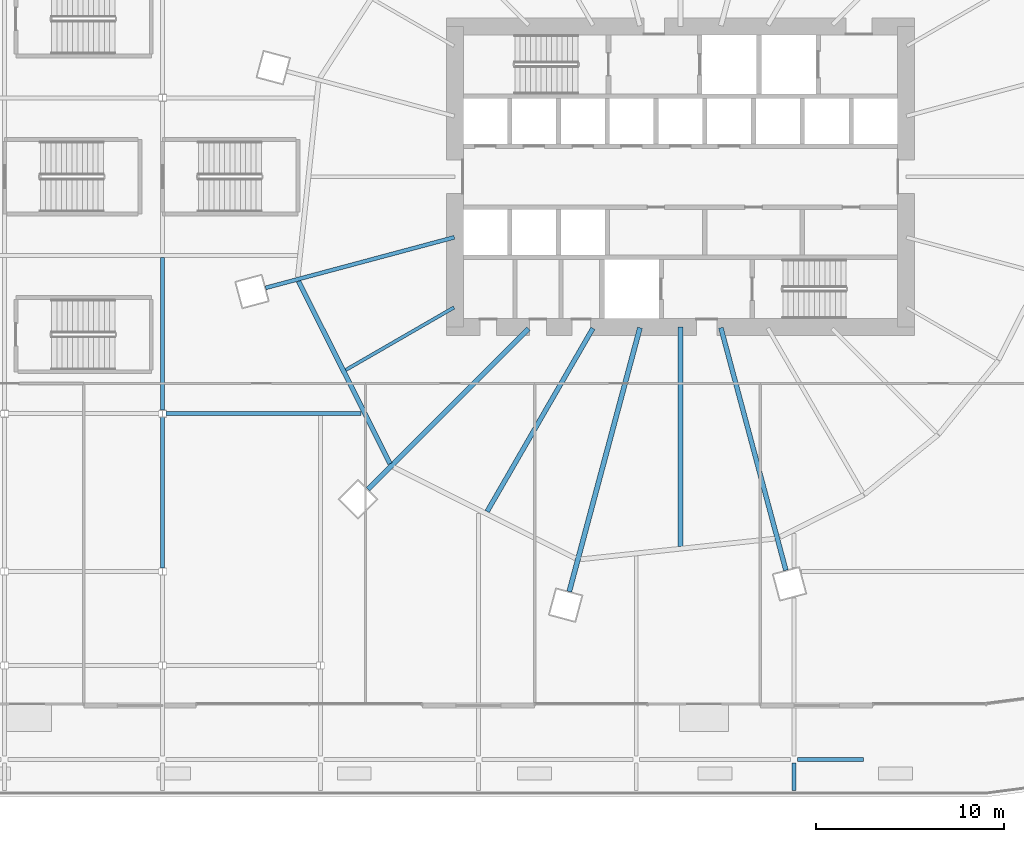
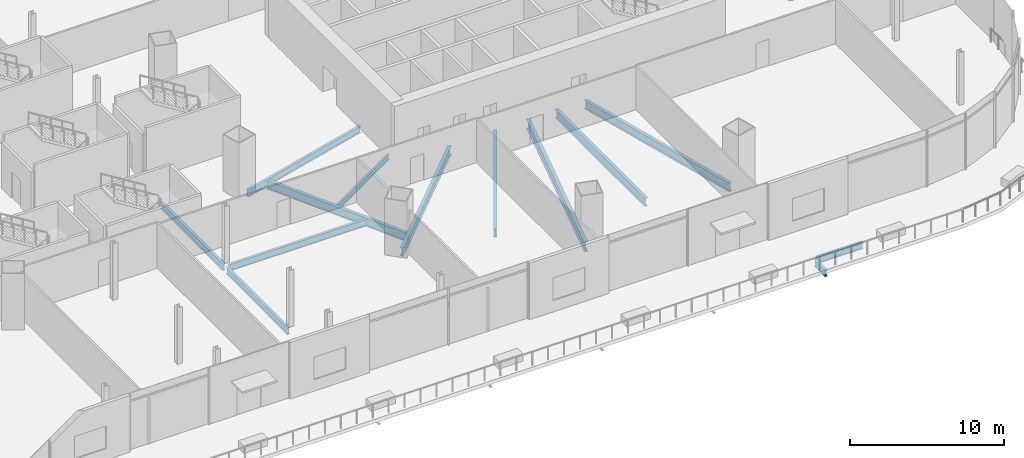
# One storey, part 23 of 52: 13 beams.
"""IFC4 building model written with IfcOpenShell, lengths in metres."""

from ifc_helpers import new_model, si_unit, direction, frame, origin, origin_2d, place, context, subcontext, project, spatial, i_section, extrude, material, material_profile, profile_set, type_object, element, save


model = new_model("IFC4")

# Units and contexts
model_context = context("Model", 3, precision=1e-05, world=origin(), true_north=direction((0.0, 1.0)))
body_context = subcontext(model_context, "Body", "Model", "MODEL_VIEW")
ifc_project = project(units=[si_unit("LENGTHUNIT", "METRE"), si_unit("AREAUNIT", "SQUARE_METRE"), si_unit("VOLUMEUNIT", "CUBIC_METRE"), si_unit("PLANEANGLEUNIT", "RADIAN"), si_unit("MASSUNIT", "GRAM", prefix="KILO")], contexts=[model_context])

# Site, building, storey
site_placement = place(None, origin())
site = spatial("IfcSite", under=ifc_project, at=site_placement, CompositionType="ELEMENT")
building_placement = place(site_placement, origin())
building = spatial("IfcBuilding", under=site, at=building_placement, Name="Rimbun Link Towers", CompositionType="ELEMENT")
storey_placement = place(building_placement, frame((0.0, 0.0, 21.0)))
storey = spatial("IfcBuildingStorey", under=building, at=storey_placement, Name="L04", CompositionType="ELEMENT", Elevation=21.0)

# Beams
ifc_material_1 = material(Name="Steel S355J2", Category="steel")
ifc_material_profile_1 = material_profile(ifc_material_1, i_section(OverallWidth=0.177978515625, OverallDepth=0.406494140625, WebThickness=0.0078125, FlangeThickness=0.0126953125, at=origin_2d()), Name="UB 406x178x60")
ifc_profile_set_1 = profile_set([ifc_material_profile_1], Name="Steel S355J2")
beam_type_1 = type_object("IfcBeamType", Name="UB 406x178x60", PredefinedType="BEAM", material=ifc_profile_set_1)
beam_1_placement = place(storey_placement, frame((19.70458984375, -6.954345703125, -0.503173828125), z_axis=(-0.866016262799, -0.500015832317, 0.0), x_axis=(0.500015832317, -0.866016262799, 0.0)))
element("IfcBeam", 1, at=beam_1_placement, inside=storey, type_object=beam_type_1, Name="Radial beam T2 L04 11", PredefinedType="BEAM", context=body_context, shape_type="SweptSolid", body=[
    extrude(i_section(OverallWidth=0.177978515625, OverallDepth=0.406494140625, WebThickness=0.0078125, FlangeThickness=0.0126953125, at=origin_2d()), origin(), (0.0, 0.0, 1.0), 6.651123046875),
])
ifc_material_2 = material(Name="Steel S355J2", Category="steel")
ifc_material_profile_2 = material_profile(ifc_material_2, i_section(OverallWidth=0.209228515625, OverallDepth=0.533203125, WebThickness=0.010009765625, FlangeThickness=0.015625, at=origin_2d()), Name="UB 533x210x92")
ifc_profile_set_2 = profile_set([ifc_material_profile_2], Name="Steel S355J2")
beam_type_2 = type_object("IfcBeamType", Name="UB 533x210x92", PredefinedType="BEAM", material=ifc_profile_set_2)
beam_2_placement = place(storey_placement, frame((19.721923828125, -3.222900390625, -0.56640625), z_axis=(-0.965924246626, -0.258824940413, 0.0), x_axis=(0.258824940413, -0.965924246626, 0.0)))
element("IfcBeam", 2, at=beam_2_placement, inside=storey, type_object=beam_type_2, Name="Radial beam T2 L04 10", PredefinedType="BEAM", context=body_context, shape_type="SweptSolid", body=[
    extrude(i_section(OverallWidth=0.209228515625, OverallDepth=0.533203125, WebThickness=0.010009765625, FlangeThickness=0.015625, at=origin_2d()), origin(), (0.0, 0.0, 1.0), 10.391845703125),
])
beam_3_placement = place(storey_placement, frame((37.985107421875, -31.0, -0.56640625), z_axis=(1.0, 0.0, 0.0), x_axis=(0.0, 1.0, 0.0)))
element("IfcBeam", 3, at=beam_3_placement, inside=storey, type_object=beam_type_2, Name="Grid beam L04 -31.0", PredefinedType="BEAM", context=body_context, shape_type="SweptSolid", body=[
    extrude(i_section(OverallWidth=0.209228515625, OverallDepth=0.533203125, WebThickness=0.010009765625, FlangeThickness=0.015625, at=origin_2d()), origin(), (0.0, 0.0, 1.0), 3.5),
])
beam_4_placement = place(storey_placement, frame((4.38525390625, -12.60009765625, -0.56640625), z_axis=(1.0, 0.0, 0.0), x_axis=(0.0, 1.0, 0.0)))
element("IfcBeam", 4, at=beam_4_placement, inside=storey, type_object=beam_type_2, Name="Grid beam L04 -12.6", PredefinedType="BEAM", context=body_context, shape_type="SweptSolid", body=[
    extrude(i_section(OverallWidth=0.209228515625, OverallDepth=0.533203125, WebThickness=0.010009765625, FlangeThickness=0.015625, at=origin_2d()), origin(), (0.0, 0.0, 1.0), 10.385009765625),
])
beam_5_placement = place(storey_placement, frame((4.199951171875, -20.819091796875, -0.56640625), z_axis=(0.0, 1.0, 0.0), x_axis=(-1.0, 0.0, 0.0)))
element("IfcBeam", 5, at=beam_5_placement, inside=storey, type_object=beam_type_2, Name="Grid beam L04 +4.2", PredefinedType="BEAM", context=body_context, shape_type="SweptSolid", body=[
    extrude(i_section(OverallWidth=0.209228515625, OverallDepth=0.533203125, WebThickness=0.010009765625, FlangeThickness=0.015625, at=origin_2d()), origin(), (0.0, 0.0, 1.0), 8.0380859375),
])
beam_6_placement = place(storey_placement, frame((4.199951171875, -12.4189453125, -0.56640625), z_axis=(0.0, 1.0, 0.0), x_axis=(-1.0, 0.0, 0.0)))
element("IfcBeam", 6, at=beam_6_placement, inside=storey, type_object=beam_type_2, Name="Grid beam L04 +4.2", PredefinedType="BEAM", context=body_context, shape_type="SweptSolid", body=[
    extrude(i_section(OverallWidth=0.209228515625, OverallDepth=0.533203125, WebThickness=0.010009765625, FlangeThickness=0.015625, at=origin_2d()), origin(), (0.0, 0.0, 1.0), 8.1142578125),
])
beam_7_placement = place(storey_placement, frame((37.800048828125, -32.649169921875, -0.56640625), z_axis=(0.0, 1.0, 0.0), x_axis=(-1.0, 0.0, 0.0)))
element("IfcBeam", 7, at=beam_7_placement, inside=storey, type_object=beam_type_2, Name="Grid beam L04 +37.8", PredefinedType="BEAM", context=body_context, shape_type="SweptSolid", body=[
    extrude(i_section(OverallWidth=0.209228515625, OverallDepth=0.533203125, WebThickness=0.010009765625, FlangeThickness=0.015625, at=origin_2d()), origin(), (0.0, 0.0, 1.0), 1.46826171875),
])
ifc_material_3 = material(Name="Steel S355J2", Category="steel")
ifc_material_profile_3 = material_profile(ifc_material_3, i_section(OverallWidth=0.253662109375, OverallDepth=0.68359375, WebThickness=0.012451171875, FlangeThickness=0.01904296875, at=origin_2d()), Name="UB 686x254x140")
ifc_profile_set_3 = profile_set([ifc_material_profile_3], Name="Steel S355J2")
beam_type_3 = type_object("IfcBeamType", Name="UB 686x254x140", PredefinedType="BEAM", material=ifc_profile_set_3)
beam_8_placement = place(storey_placement, frame((23.65966796875, -8.09033203125, -0.641845703125), z_axis=(-0.707106781187, -0.707106781187, 0.0), x_axis=(0.707106781187, -0.707106781187, 0.0)))
element("IfcBeam", 8, at=beam_8_placement, inside=storey, type_object=beam_type_3, Name="Radial beam T2 L04 12", PredefinedType="BEAM", context=body_context, shape_type="SweptSolid", body=[
    extrude(i_section(OverallWidth=0.253662109375, OverallDepth=0.68359375, WebThickness=0.012451171875, FlangeThickness=0.01904296875, at=origin_2d()), origin(), (0.0, 0.0, 1.0), 12.0712890625),
])
beam_9_placement = place(storey_placement, frame((27.093994140625, -8.064208984375, -0.641845703125), z_axis=(-0.499995511288, -0.866027995328, 0.0), x_axis=(0.866027995328, -0.499995511288, 0.0)))
element("IfcBeam", 9, at=beam_9_placement, inside=storey, type_object=beam_type_3, Name="Radial beam T2 L04 13", PredefinedType="BEAM", context=body_context, shape_type="SweptSolid", body=[
    extrude(i_section(OverallWidth=0.253662109375, OverallDepth=0.68359375, WebThickness=0.012451171875, FlangeThickness=0.01904296875, at=origin_2d()), origin(), (0.0, 0.0, 1.0), 11.248046875),
])
beam_10_placement = place(storey_placement, frame((31.75, -8.0009765625, -0.641845703125), z_axis=(0.0, -1.0, 0.0), x_axis=(1.0, 0.0, 0.0)))
element("IfcBeam", 10, at=beam_10_placement, inside=storey, type_object=beam_type_3, Name="Radial beam T2 L04 15", PredefinedType="BEAM", context=body_context, shape_type="SweptSolid", body=[
    extrude(i_section(OverallWidth=0.253662109375, OverallDepth=0.68359375, WebThickness=0.012451171875, FlangeThickness=0.01904296875, at=origin_2d()), origin(), (0.0, 0.0, 1.0), 11.65771484375),
])
beam_11_placement = place(storey_placement, frame((33.902587890625, -8.03369140625, -0.641845703125), z_axis=(0.258816190288, -0.96592659123, 0.0), x_axis=(0.96592659123, 0.258816190288, 0.0)))
element("IfcBeam", 11, at=beam_11_placement, inside=storey, type_object=beam_type_3, Name="Radial beam T2 L04 16", PredefinedType="BEAM", context=body_context, shape_type="SweptSolid", body=[
    extrude(i_section(OverallWidth=0.253662109375, OverallDepth=0.68359375, WebThickness=0.012451171875, FlangeThickness=0.01904296875, at=origin_2d()), origin(), (0.0, 0.0, 1.0), 13.355224609375),
])
beam_12_placement = place(storey_placement, frame((11.429931640625, -5.55419921875, -0.641845703125), z_axis=(0.448516294104, -0.893774655002, 0.0), x_axis=(0.893774655002, 0.448516294104, 0.0)))
element("IfcBeam", 12, at=beam_12_placement, inside=storey, type_object=beam_type_3, Name="Edge beam T2 L04 10-12", PredefinedType="BEAM", context=body_context, shape_type="SweptSolid", body=[
    extrude(i_section(OverallWidth=0.253662109375, OverallDepth=0.68359375, WebThickness=0.012451171875, FlangeThickness=0.01904296875, at=origin_2d()), origin(), (0.0, 0.0, 1.0), 10.865966796875),
])
ifc_material_4 = material(Name="Steel S355J2", Category="steel")
ifc_material_profile_4 = material_profile(ifc_material_4, i_section(OverallWidth=0.2666015625, OverallDepth=0.76220703125, WebThickness=0.014404296875, FlangeThickness=0.021484375, at=origin_2d()), Name="UB 762x267x173")
ifc_profile_set_4 = profile_set([ifc_material_profile_4], Name="Steel S355J2")
beam_type_4 = type_object("IfcBeamType", Name="UB 762x267x173", PredefinedType="BEAM", material=ifc_profile_set_4)
beam_13_placement = place(storey_placement, frame((29.596923828125, -8.035400390625, -0.68115234375), z_axis=(-0.25882261837, -0.965924868828, 0.0), x_axis=(0.965924868828, -0.25882261837, 0.0)))
element("IfcBeam", 13, at=beam_13_placement, inside=storey, type_object=beam_type_4, Name="Radial beam T2 L04 14", PredefinedType="BEAM", context=body_context, shape_type="SweptSolid", body=[
    extrude(i_section(OverallWidth=0.2666015625, OverallDepth=0.76220703125, WebThickness=0.014404296875, FlangeThickness=0.021484375, at=origin_2d()), origin(), (0.0, 0.0, 1.0), 14.525390625),
])

save(model, "model.ifc")
